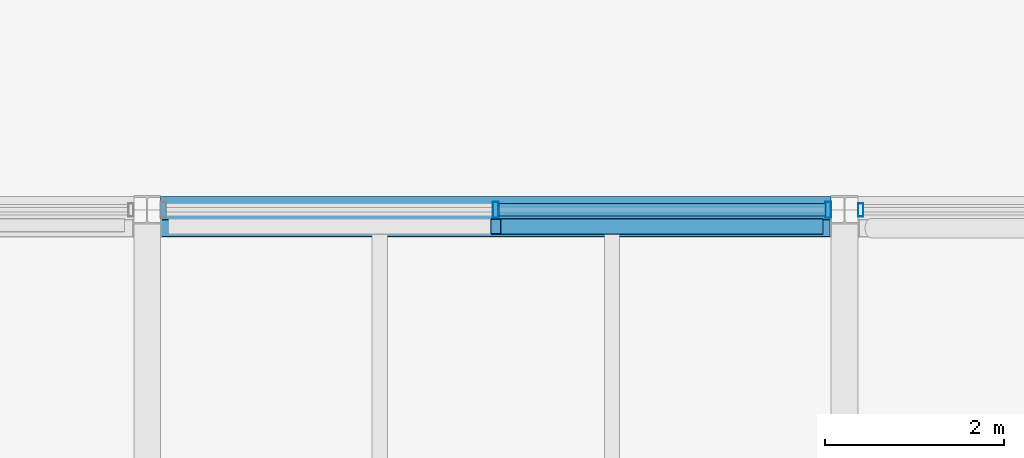
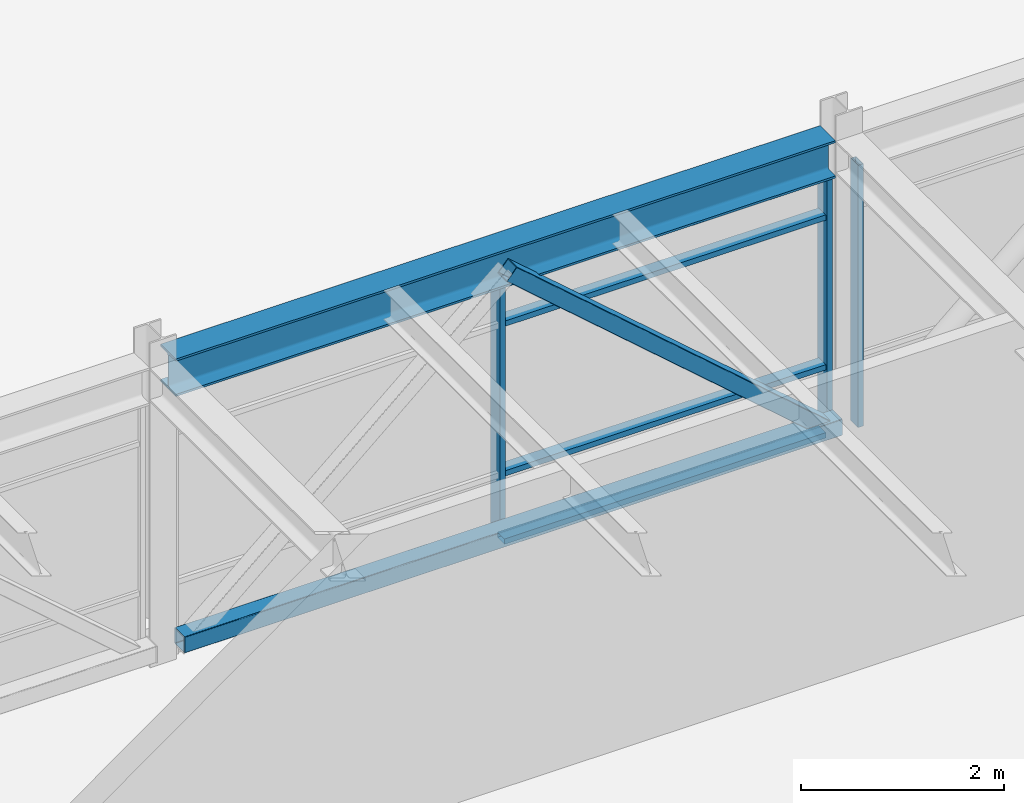
# One storey, part 18 of 72: 9 members, 1 beam, 2 elements without a shape of their own.
"""IFC4 building model written with IfcOpenShell, lengths in metres."""

from ifc_helpers import new_model, si_unit, direction, frame, origin, origin_2d, place, context, subcontext, project, spatial, hollow_rectangle, i_section, extrude, material, material_profile, profile_set, type_object, element, aggregate, save


model = new_model("IFC4")

# Units and contexts
model_context = context("Model", 3, precision=1e-05, world=origin(), true_north=direction((0.0, 1.0)))
body_context = subcontext(model_context, "Body", "Model", "MODEL_VIEW")
ifc_project = project(units=[si_unit("LENGTHUNIT", "METRE"), si_unit("AREAUNIT", "SQUARE_METRE"), si_unit("VOLUMEUNIT", "CUBIC_METRE"), si_unit("PLANEANGLEUNIT", "RADIAN"), si_unit("MASSUNIT", "GRAM", prefix="KILO"), si_unit("THERMODYNAMICTEMPERATUREUNIT", "KELVIN"), si_unit("POWERUNIT", "WATT")], contexts=[model_context])

# Site, building, storey
site_placement = place(None, origin())
site = spatial("IfcSite", under=ifc_project, at=site_placement, CompositionType="ELEMENT")
building_placement = place(site_placement, origin())
building = spatial("IfcBuilding", under=site, at=building_placement, Name="Srebrne Nadtorze General Hospital", CompositionType="ELEMENT")
storey_placement = place(building_placement, frame((0.0, 0.0, 22.199951171875)))
storey = spatial("IfcBuildingStorey", under=building, at=storey_placement, Name="L05", CompositionType="ELEMENT", Elevation=22.199951171875)

# Beam
ifc_material_1 = material(Name="Steel S355J2", Category="steel")
ifc_material_profile_1 = material_profile(ifc_material_1, i_section(OverallWidth=0.300048828125, OverallDepth=0.449951171875, WebThickness=0.013916015625, FlangeThickness=0.02587890625, FilletRadius=0.027099609375, at=origin_2d()), Name="HEB-450")
ifc_profile_set_1 = profile_set([ifc_material_profile_1], Name="Steel S355J2")
beam_type = type_object("IfcBeamType", Name="Courtyard bridge girder HEB 450", PredefinedType="BEAM", material=ifc_profile_set_1)
beam_placement = place(storey_placement, frame((78.14990234375, 58.800048828125, 3.375), z_axis=(1.0, 0.0, 0.0), x_axis=(0.0, 1.0, 0.0)))
element("IfcBeam", 1, at=beam_placement, inside=storey, type_object=beam_type, Name="Beam BM-L05-X-1037", PredefinedType="BEAM", context=body_context, shape_type="SweptSolid", body=[
    extrude(i_section(OverallWidth=0.300048828125, OverallDepth=0.449951171875, WebThickness=0.013916015625, FlangeThickness=0.02587890625, FilletRadius=0.027099609375, at=origin_2d()), origin(), (0.0, 0.0, 1.0), 7.5),
])

# Curtain wall, member
ifc_material_2 = material(Name="Anodised Aluminium", Category="aluminium")
curtain_wall_type = type_object("IfcCurtainWallType", Name="Bridge curtain wall 7500x3150", PredefinedType="NOTDEFINED", material=ifc_material_2)
curtain_wall_1_placement = place(storey_placement, origin())
curtain_wall_1 = element("IfcCurtainWall", 2, at=curtain_wall_1_placement, inside=storey, type_object=curtain_wall_type, Name="Curtain wall CW-128", PredefinedType="NOTDEFINED")
ifc_material_3 = material(Name="Anodised Aluminium", Category="aluminium")
ifc_material_profile_2 = material_profile(ifc_material_3, hollow_rectangle(XDim=0.06005859375, YDim=0.14990234375, WallThickness=0.00390625, at=origin_2d()), Name="AL-MUL-60x150")
ifc_profile_set_2 = profile_set([ifc_material_profile_2], Name="Anodised Aluminium")
member_type_1 = type_object("IfcMemberType", Name="Curtain mullion 60x150", PredefinedType="MULLION", material=ifc_profile_set_2)
member_1_placement = place(storey_placement, frame((85.97998046875, 58.800048828125, 0.0), z_axis=(0.0, 0.0, 1.0), x_axis=(1.0, 0.0, 0.0)))
member_1 = element("IfcMember", 3, at=member_1_placement, type_object=member_type_1, Name="CW-128 mullion 1", PredefinedType="MULLION", context=body_context, shape_type="SweptSolid", body=[
    extrude(hollow_rectangle(XDim=0.06005859375, YDim=0.14990234375, WallThickness=0.00390625, at=origin_2d()), origin(), (0.0, 0.0, 1.0), 3.150146484375),
])
aggregate(curtain_wall_1, [member_1])

# Curtain wall, members
curtain_wall_2_placement = place(storey_placement, origin())
curtain_wall_2 = element("IfcCurtainWall", 4, at=curtain_wall_2_placement, inside=storey, type_object=curtain_wall_type, Name="Curtain wall CW-127", PredefinedType="NOTDEFINED")
ifc_material_4 = material(Name="Anodised Aluminium", Category="aluminium")
ifc_material_profile_3 = material_profile(ifc_material_4, hollow_rectangle(XDim=0.06494140625, YDim=0.179931640625, WallThickness=0.00390625, at=origin_2d()), Name="AL-MUL-65x180")
ifc_profile_set_3 = profile_set([ifc_material_profile_3], Name="Anodised Aluminium")
member_type_2 = type_object("IfcMemberType", Name="Curtain mullion 65x180", PredefinedType="MULLION", material=ifc_profile_set_3)
member_2_placement = place(storey_placement, frame((81.89990234375, 58.800048828125, 0.0), z_axis=(0.0, 0.0, 1.0), x_axis=(1.0, 0.0, 0.0)))
member_2 = element("IfcMember", 5, at=member_2_placement, type_object=member_type_2, Name="CW-127 mullion 2", PredefinedType="MULLION", context=body_context, shape_type="SweptSolid", body=[
    extrude(hollow_rectangle(XDim=0.06494140625, YDim=0.179931640625, WallThickness=0.00390625, at=origin_2d()), origin(), (0.0, 0.0, 1.0), 3.150146484375),
])
member_3_placement = place(storey_placement, frame((85.617431640625, 58.800048828125, 0.0), z_axis=(0.0, 0.0, 1.0), x_axis=(1.0, 0.0, 0.0)))
member_3 = element("IfcMember", 6, at=member_3_placement, type_object=member_type_2, Name="CW-127 mullion 3", PredefinedType="MULLION", context=body_context, shape_type="SweptSolid", body=[
    extrude(hollow_rectangle(XDim=0.06494140625, YDim=0.179931640625, WallThickness=0.00390625, at=origin_2d()), origin(), (0.0, 0.0, 1.0), 3.150146484375),
])
ifc_material_5 = material(Name="Anodised Aluminium", Category="aluminium")
ifc_material_profile_4 = material_profile(ifc_material_5, hollow_rectangle(XDim=0.06494140625, YDim=0.139892578125, WallThickness=0.00390625, at=origin_2d()), Name="AL-TRN-65x140")
ifc_profile_set_4 = profile_set([ifc_material_profile_4], Name="Anodised Aluminium")
member_type_3 = type_object("IfcMemberType", Name="Curtain transom 65x140", PredefinedType="USERDEFINED", material=ifc_profile_set_4)
member_4_placement = place(storey_placement, frame((81.9326171875, 58.800048828125, 0.032470703125), z_axis=(1.0, 0.0, 0.0), x_axis=(0.0, 0.0, 1.0)))
member_4 = element("IfcMember", 7, at=member_4_placement, type_object=member_type_3, Name="CW-127 transom 2.1", ObjectType="TRANSOM", PredefinedType="USERDEFINED", context=body_context, shape_type="SweptSolid", body=[
    extrude(hollow_rectangle(XDim=0.06494140625, YDim=0.139892578125, WallThickness=0.00390625, at=origin_2d()), origin(), (0.0, 0.0, 1.0), 3.65234375),
])
member_5_placement = place(storey_placement, frame((81.9326171875, 58.800048828125, 0.85009765625), z_axis=(1.0, 0.0, 0.0), x_axis=(0.0, 0.0, 1.0)))
member_5 = element("IfcMember", 8, at=member_5_placement, type_object=member_type_3, Name="CW-127 transom 2.2", ObjectType="TRANSOM", PredefinedType="USERDEFINED", context=body_context, shape_type="SweptSolid", body=[
    extrude(hollow_rectangle(XDim=0.06494140625, YDim=0.139892578125, WallThickness=0.00390625, at=origin_2d()), origin(), (0.0, 0.0, 1.0), 3.65234375),
])
member_6_placement = place(storey_placement, frame((81.9326171875, 58.800048828125, 2.650146484375), z_axis=(1.0, 0.0, 0.0), x_axis=(0.0, 0.0, 1.0)))
member_6 = element("IfcMember", 9, at=member_6_placement, type_object=member_type_3, Name="CW-127 transom 2.3", ObjectType="TRANSOM", PredefinedType="USERDEFINED", context=body_context, shape_type="SweptSolid", body=[
    extrude(hollow_rectangle(XDim=0.06494140625, YDim=0.139892578125, WallThickness=0.00390625, at=origin_2d()), origin(), (0.0, 0.0, 1.0), 3.65234375),
])
member_7_placement = place(storey_placement, frame((81.9326171875, 58.800048828125, 3.117431640625), z_axis=(1.0, 0.0, 0.0), x_axis=(0.0, 0.0, 1.0)))
member_7 = element("IfcMember", 10, at=member_7_placement, type_object=member_type_3, Name="CW-127 transom 2.4", ObjectType="TRANSOM", PredefinedType="USERDEFINED", context=body_context, shape_type="SweptSolid", body=[
    extrude(hollow_rectangle(XDim=0.06494140625, YDim=0.139892578125, WallThickness=0.00390625, at=origin_2d()), origin(), (0.0, 0.0, 1.0), 3.65234375),
])
aggregate(curtain_wall_2, [member_2, member_3, member_4, member_5, member_6, member_7])

# Members
ifc_material_6 = material(Name="Steel S355J2", Category="steel")
ifc_material_profile_5 = material_profile(ifc_material_6, hollow_rectangle(XDim=0.179931640625, YDim=0.179931640625, WallThickness=0.008056640625, InnerFilletRadius=0.008056640625, OuterFilletRadius=0.011962890625, at=origin_2d()), Name="SHS-180x180x8")
ifc_profile_set_5 = profile_set([ifc_material_profile_5], Name="Steel S355J2")
member_type_4 = type_object("IfcMemberType", Name="Diagonal brace SHS 180x180x8", PredefinedType="BRACE", material=ifc_profile_set_5)
member_8_placement = place(storey_placement, frame((85.5, 58.614990234375, 0.25), z_axis=(-0.754646285498, 0.0, 0.656131834149), x_axis=(0.0, -1.0, 0.0)))
element("IfcMember", 11, at=member_8_placement, inside=storey, type_object=member_type_4, Name="Clinical courtyard bridge brace 20", PredefinedType="BRACE", context=body_context, shape_type="SweptSolid", body=[
    extrude(hollow_rectangle(XDim=0.179931640625, YDim=0.179931640625, WallThickness=0.008056640625, InnerFilletRadius=0.008056640625, OuterFilletRadius=0.011962890625, at=origin_2d()), origin(), (0.0, 0.0, 1.0), 4.7705078125),
])
ifc_material_7 = material(Name="Steel S355J2", Category="steel")
ifc_material_profile_6 = material_profile(ifc_material_7, hollow_rectangle(XDim=0.199951171875, YDim=0.199951171875, WallThickness=0.010009765625, InnerFilletRadius=0.010009765625, OuterFilletRadius=0.014892578125, at=origin_2d()), Name="SHS-200x200x10")
ifc_profile_set_6 = profile_set([ifc_material_profile_6], Name="Steel S355J2")
member_type_5 = type_object("IfcMemberType", Name="Truss chord SHS 200x200x10", PredefinedType="CHORD", material=ifc_profile_set_6)
member_9_placement = place(storey_placement, frame((78.162109375, 58.594970703125, 0.25), z_axis=(1.0, 0.0, 0.0), x_axis=(0.0, 1.0, 0.0)))
element("IfcMember", 12, at=member_9_placement, inside=storey, type_object=member_type_5, Name="Clinical courtyard bridge truss chord 10", PredefinedType="CHORD", context=body_context, shape_type="SweptSolid", body=[
    extrude(hollow_rectangle(XDim=0.199951171875, YDim=0.199951171875, WallThickness=0.010009765625, InnerFilletRadius=0.010009765625, OuterFilletRadius=0.014892578125, at=origin_2d()), origin(), (0.0, 0.0, 1.0), 7.475830078125),
])

save(model, "model.ifc")
